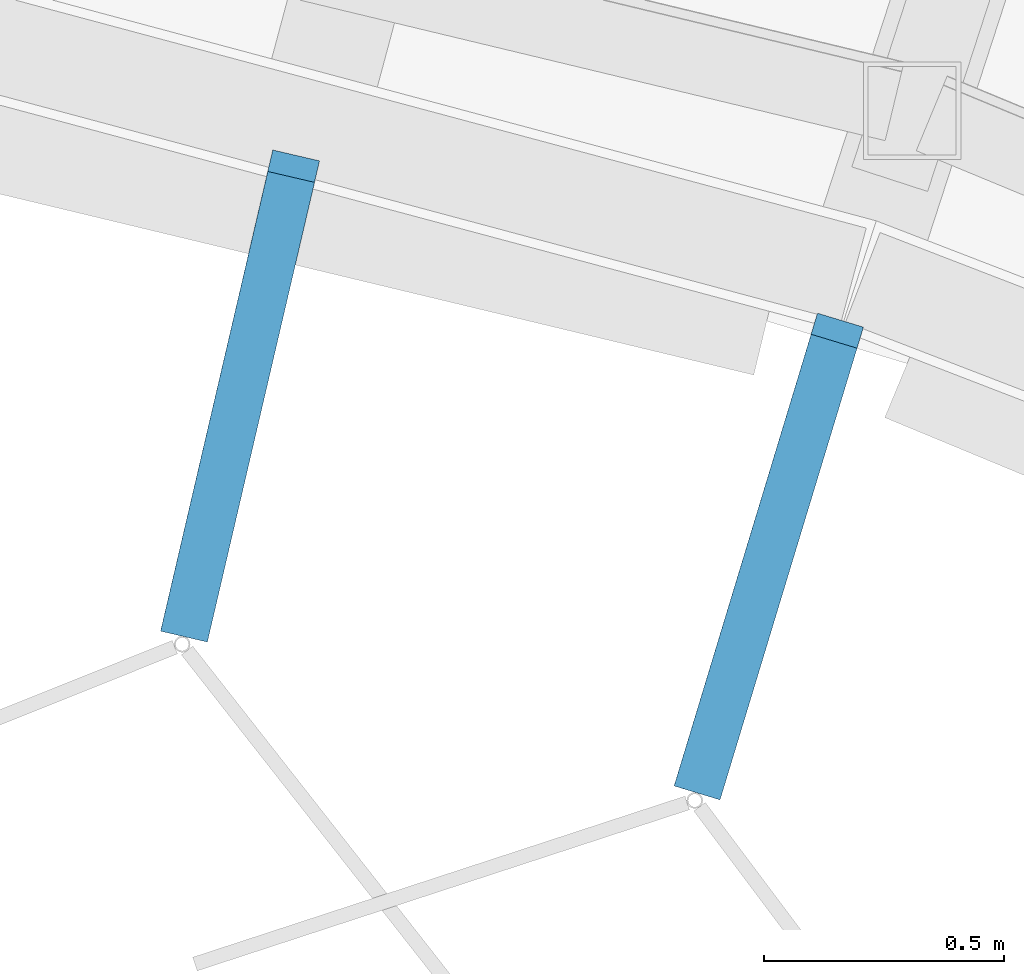
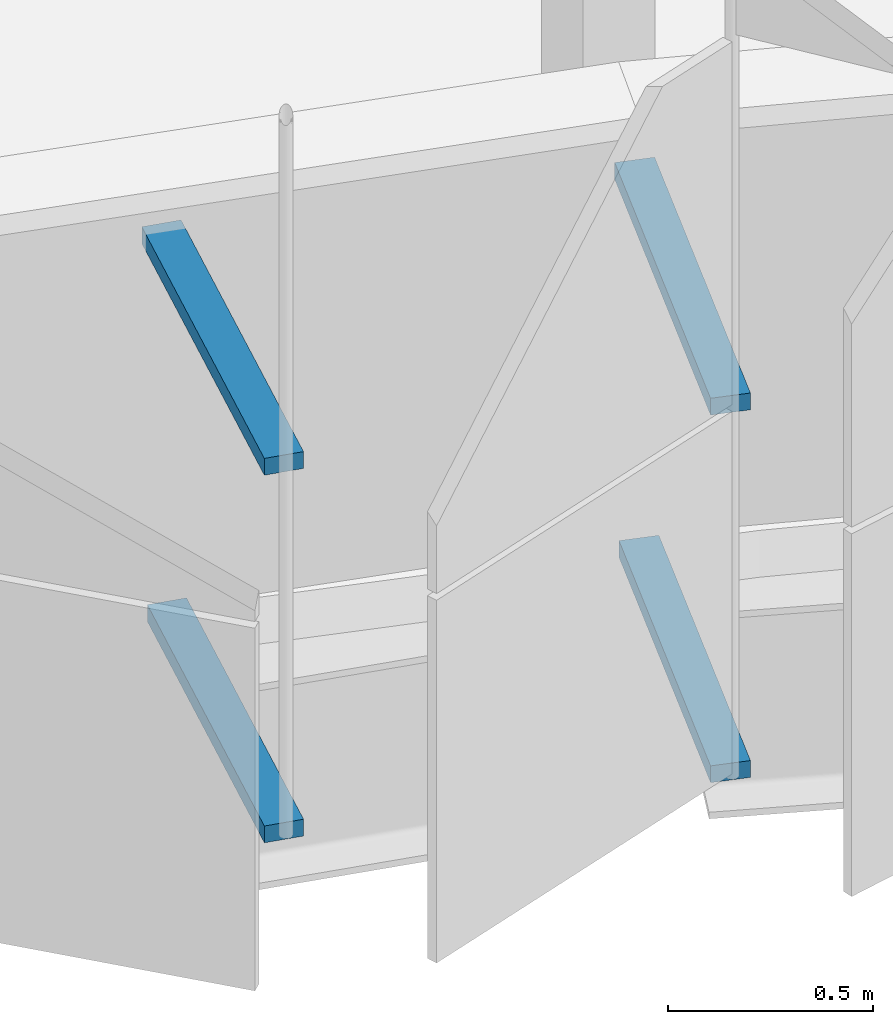
# One storey, part 247 of 483: 4 discrete accessories.
"""IFC4 building model written with IfcOpenShell, lengths in metres."""

from ifc_helpers import new_model, si_unit, direction, frame, origin, origin_2d, place, context, subcontext, project, spatial, rectangle, extrude, material, type_object, element, save


model = new_model("IFC4")

# Units and contexts
model_context = context("Model", 3, precision=1e-05, world=origin(), true_north=direction((0.0, 1.0)))
body_context = subcontext(model_context, "Body", "Model", "MODEL_VIEW")
ifc_project = project(units=[si_unit("LENGTHUNIT", "METRE"), si_unit("AREAUNIT", "SQUARE_METRE"), si_unit("VOLUMEUNIT", "CUBIC_METRE"), si_unit("PLANEANGLEUNIT", "RADIAN"), si_unit("MASSUNIT", "GRAM", prefix="KILO")], contexts=[model_context])

# Site, building, storey
site_placement = place(None, origin())
site = spatial("IfcSite", under=ifc_project, at=site_placement, CompositionType="ELEMENT")
building_placement = place(site_placement, origin())
building = spatial("IfcBuilding", under=site, at=building_placement, Name="Parallax Yard Mobility Hub", CompositionType="ELEMENT")
storey_placement = place(building_placement, frame((0.0, 0.0, 13.199951171875)))
storey = spatial("IfcBuildingStorey", under=building, at=storey_placement, Name="L04", CompositionType="ELEMENT", Elevation=13.199951171875)

# Discrete accessories
ifc_material = material(Name="Steel ASTM A36, hot-dip galvanised", Category="steel")
discrete_accessory_type = type_object("IfcDiscreteAccessoryType", Name="Hinge bracket plate 100x50", PredefinedType="BRACKET", material=ifc_material)
discrete_accessory_1_placement = place(storey_placement, frame((178.201171875, 111.257080078125, -0.02490234375), z_axis=(0.0, 0.0, 1.0), x_axis=(-0.227076263034, -0.973876979277, 0.0)))
element("IfcDiscreteAccessory", 1, at=discrete_accessory_1_placement, inside=storey, type_object=discrete_accessory_type, Name="Hinge bracket plate bay 18.6 level L04", PredefinedType="BRACKET", context=body_context, shape_type="SweptSolid", body=[
    extrude(rectangle(XDim=0.984130859375, YDim=0.10009765625, at=origin_2d()), origin(), (0.0, 0.0, 1.0), 0.050048828125),
])
discrete_accessory_2_placement = place(storey_placement, frame((178.206298828125, 111.279541015625, 1.06982421875), z_axis=(0.0, 0.0, 1.0), x_axis=(-0.227076263034, -0.973876979277, 0.0)))
element("IfcDiscreteAccessory", 2, at=discrete_accessory_2_placement, inside=storey, type_object=discrete_accessory_type, Name="Hinge bracket plate bay 18.6 level L04", PredefinedType="BRACKET", context=body_context, shape_type="SweptSolid", body=[
    extrude(rectangle(XDim=1.030029296875, YDim=0.10009765625, at=origin_2d()), origin(), (0.0, 0.0, 1.0), 0.050048828125),
])
discrete_accessory_3_placement = place(storey_placement, frame((179.302001953125, 110.9228515625, -0.02490234375), z_axis=(0.0, 0.0, 1.0), x_axis=(-0.290284677254, -0.956940335732, 0.0)))
element("IfcDiscreteAccessory", 3, at=discrete_accessory_3_placement, inside=storey, type_object=discrete_accessory_type, Name="Hinge bracket plate bay 19.1 level L04", PredefinedType="BRACKET", context=body_context, shape_type="SweptSolid", body=[
    extrude(rectangle(XDim=0.984130859375, YDim=0.10009765625, at=origin_2d()), origin(), (0.0, 0.0, 1.0), 0.050048828125),
])
discrete_accessory_4_placement = place(storey_placement, frame((179.30859375, 110.94482421875, 1.06982421875), z_axis=(0.0, 0.0, 1.0), x_axis=(-0.290284677254, -0.956940335732, 0.0)))
element("IfcDiscreteAccessory", 4, at=discrete_accessory_4_placement, inside=storey, type_object=discrete_accessory_type, Name="Hinge bracket plate bay 19.1 level L04", PredefinedType="BRACKET", context=body_context, shape_type="SweptSolid", body=[
    extrude(rectangle(XDim=1.030029296875, YDim=0.10009765625, at=origin_2d()), origin(), (0.0, 0.0, 1.0), 0.050048828125),
])

save(model, "model.ifc")
